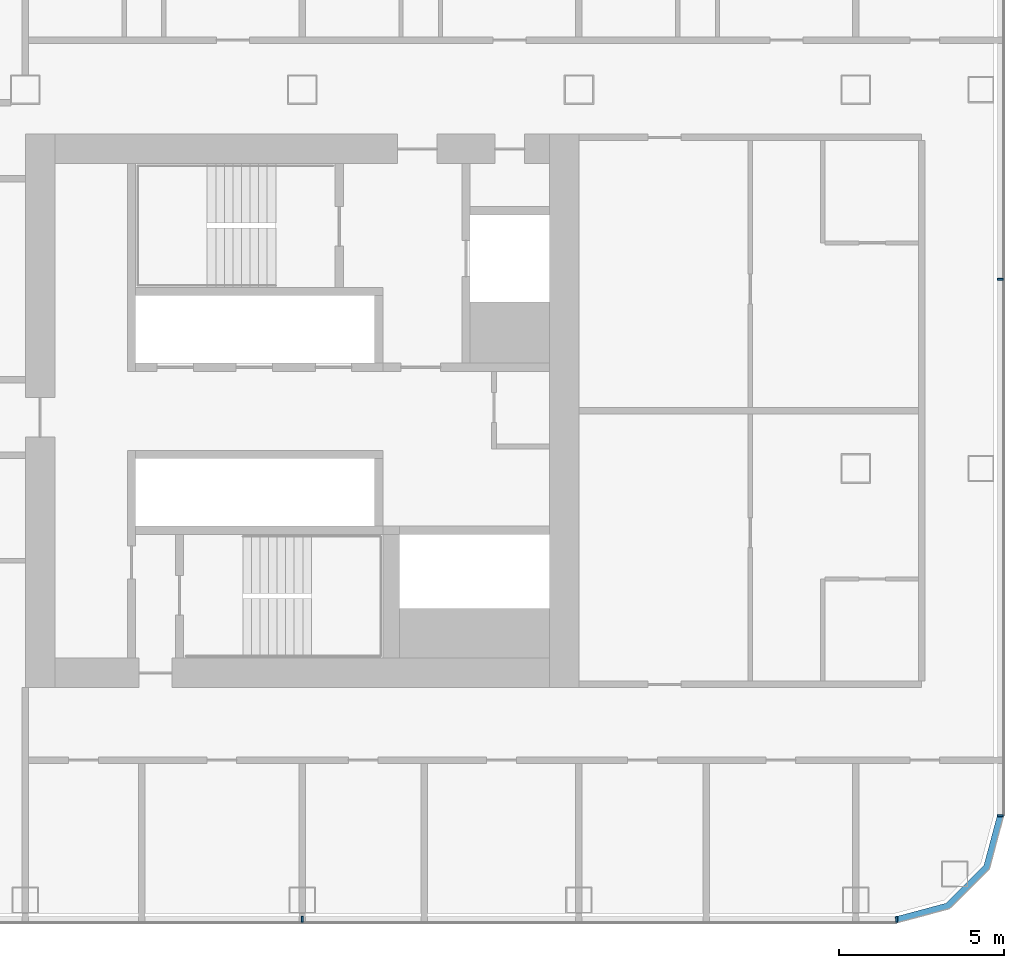
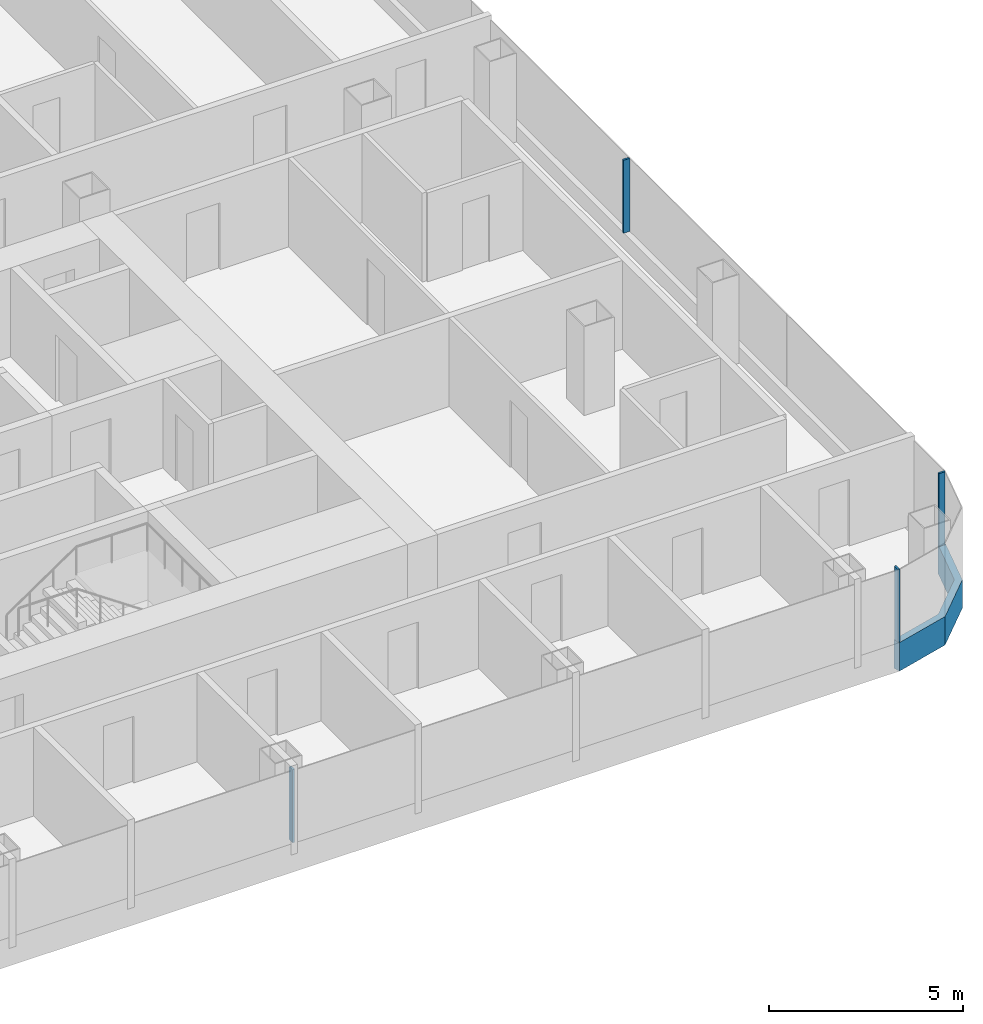
# One storey, part 11 of 29: 5 members, 3 elements without a shape of their own.
"""IFC4 building model written with IfcOpenShell, lengths in metres."""

from ifc_helpers import new_model, si_unit, direction, frame, origin, origin_2d, place, context, subcontext, project, spatial, polyline, rectangle, outline, extrude, material, layer, layer_set, material_profile, profile_set, type_object, element, aggregate, save


model = new_model("IFC4")

# Units and contexts
model_context = context("Model", 3, precision=1e-05, world=origin(), true_north=direction((0.0, 1.0)))
body_context = subcontext(model_context, "Body", "Model", "MODEL_VIEW")
ifc_project = project(units=[si_unit("LENGTHUNIT", "METRE"), si_unit("AREAUNIT", "SQUARE_METRE"), si_unit("VOLUMEUNIT", "CUBIC_METRE"), si_unit("PLANEANGLEUNIT", "RADIAN"), si_unit("MASSUNIT", "GRAM", prefix="KILO")], contexts=[model_context])

# Site, building, storey
site_placement = place(None, origin())
site = spatial("IfcSite", under=ifc_project, at=site_placement, CompositionType="ELEMENT")
building_placement = place(site_placement, origin())
building = spatial("IfcBuilding", under=site, at=building_placement, Name="Hakoniwa Tower and Hamabe Station Hall", CompositionType="ELEMENT")
storey_placement = place(building_placement, frame((0.0, 0.0, 88.199951171875)))
storey = spatial("IfcBuildingStorey", under=building, at=storey_placement, Name="L24", CompositionType="ELEMENT", Elevation=88.199951171875)

# Curtain wall, member
ifc_material_1 = material(Name="Dark low-e laminated glass", Category="glass")
ifc_layer = layer(ifc_material_1, 0.199951171875)
ifc_layer_set = layer_set([ifc_layer], Name="CW-1 UNITISED GUEST")
curtain_wall_type = type_object("IfcCurtainWallType", Name="CW-1 UNITISED GUEST", PredefinedType="NOTDEFINED", material=ifc_layer_set)
curtain_wall_1_placement = place(storey_placement, origin())
curtain_wall_1 = element("IfcCurtainWall", 1, at=curtain_wall_1_placement, inside=storey, type_object=curtain_wall_type, Name="CW-1 curtain wall", PredefinedType="NOTDEFINED")
ifc_material_2 = material(Name="Aluminium 6063-T5 black anodised", Category="aluminium")
ifc_material_profile_1 = material_profile(ifc_material_2, rectangle(XDim=0.199951171875, YDim=0.89990234375, at=origin_2d()), Name="CW SLAB-EDGE BAND 900X200")
ifc_profile_set_1 = profile_set([ifc_material_profile_1], Name="Aluminium 6063-T5 black anodised")
member_type_1 = type_object("IfcMemberType", Name="CW SLAB-EDGE BAND 900X200", PredefinedType="USERDEFINED", material=ifc_profile_set_1)
member_1_placement = place(storey_placement, frame((0.0, 0.0, -0.550048828125)))
member_1 = element("IfcMember", 2, at=member_1_placement, type_object=member_type_1, Name="CW-1 transom", ObjectType="TRANSOM", PredefinedType="USERDEFINED", context=body_context, shape_type="SweptSolid", body=[
    extrude(outline(polyline([(43.239501953125, -15.550048828125), (44.855224609375, -15.116943359375), (46.067138671875, -13.9052734375), (46.5, -12.28955078125), (46.306884765625, -12.23779296875), (45.8876953125, -13.8017578125), (44.751708984375, -14.937744140625), (43.187744140625, -15.35693359375), (43.239501953125, -15.550048828125)])), origin(), (0.0, 0.0, 1.0), 0.900146484375),
])
aggregate(curtain_wall_1, [member_1])

# Curtain wall, members
curtain_wall_2_placement = place(storey_placement, origin())
curtain_wall_2 = element("IfcCurtainWall", 3, at=curtain_wall_2_placement, inside=storey, type_object=curtain_wall_type, Name="CW-1 curtain wall", PredefinedType="NOTDEFINED")
ifc_material_3 = material(Name="Aluminium 6063-T5 black anodised", Category="aluminium")
ifc_material_profile_2 = material_profile(ifc_material_3, rectangle(XDim=0.06005859375, YDim=0.179931640625, at=origin_2d()), Name="CW-1 MULLION 60X180")
ifc_profile_set_2 = profile_set([ifc_material_profile_2], Name="Aluminium 6063-T5 black anodised")
member_type_2 = type_object("IfcMemberType", Name="CW-1 MULLION 60X180", PredefinedType="MULLION", material=ifc_profile_set_2)
member_2_placement = place(storey_placement, frame((46.382080078125, -12.28955078125, 0.35009765625), z_axis=(0.0, 0.0, 1.0), x_axis=(0.0, 1.0, 0.0)))
member_2 = element("IfcMember", 4, at=member_2_placement, type_object=member_type_2, Name="CW-1 mullion", PredefinedType="MULLION", context=body_context, shape_type="SweptSolid", body=[
    extrude(rectangle(XDim=0.06005859375, YDim=0.179931640625, at=origin_2d()), origin(), (0.0, 0.0, 1.0), 2.300048828125),
])
member_3_placement = place(storey_placement, frame((46.382080078125, 4.0, 0.35009765625), z_axis=(0.0, 0.0, 1.0), x_axis=(0.0, 1.0, 0.0)))
member_3 = element("IfcMember", 5, at=member_3_placement, type_object=member_type_2, Name="CW-1 mullion", PredefinedType="MULLION", context=body_context, shape_type="SweptSolid", body=[
    extrude(rectangle(XDim=0.06005859375, YDim=0.179931640625, at=origin_2d()), origin(), (0.0, 0.0, 1.0), 2.300048828125),
])
aggregate(curtain_wall_2, [member_2, member_3])

curtain_wall_3_placement = place(storey_placement, origin())
curtain_wall_3 = element("IfcCurtainWall", 6, at=curtain_wall_3_placement, inside=storey, type_object=curtain_wall_type, Name="CW-1 curtain wall", PredefinedType="NOTDEFINED")
member_4_placement = place(storey_placement, frame((25.199951171875, -15.431884765625, 0.35009765625), z_axis=(0.0, 0.0, 1.0), x_axis=(1.0, 0.0, 0.0)))
member_4 = element("IfcMember", 7, at=member_4_placement, type_object=member_type_2, Name="CW-1 mullion", PredefinedType="MULLION", context=body_context, shape_type="SweptSolid", body=[
    extrude(rectangle(XDim=0.06005859375, YDim=0.179931640625, at=origin_2d()), origin(), (0.0, 0.0, 1.0), 2.300048828125),
])
member_5_placement = place(storey_placement, frame((43.239501953125, -15.431884765625, 0.35009765625), z_axis=(0.0, 0.0, 1.0), x_axis=(1.0, 0.0, 0.0)))
member_5 = element("IfcMember", 8, at=member_5_placement, type_object=member_type_2, Name="CW-1 mullion", PredefinedType="MULLION", context=body_context, shape_type="SweptSolid", body=[
    extrude(rectangle(XDim=0.06005859375, YDim=0.179931640625, at=origin_2d()), origin(), (0.0, 0.0, 1.0), 2.300048828125),
])
aggregate(curtain_wall_3, [member_4, member_5])

save(model, "model.ifc")
